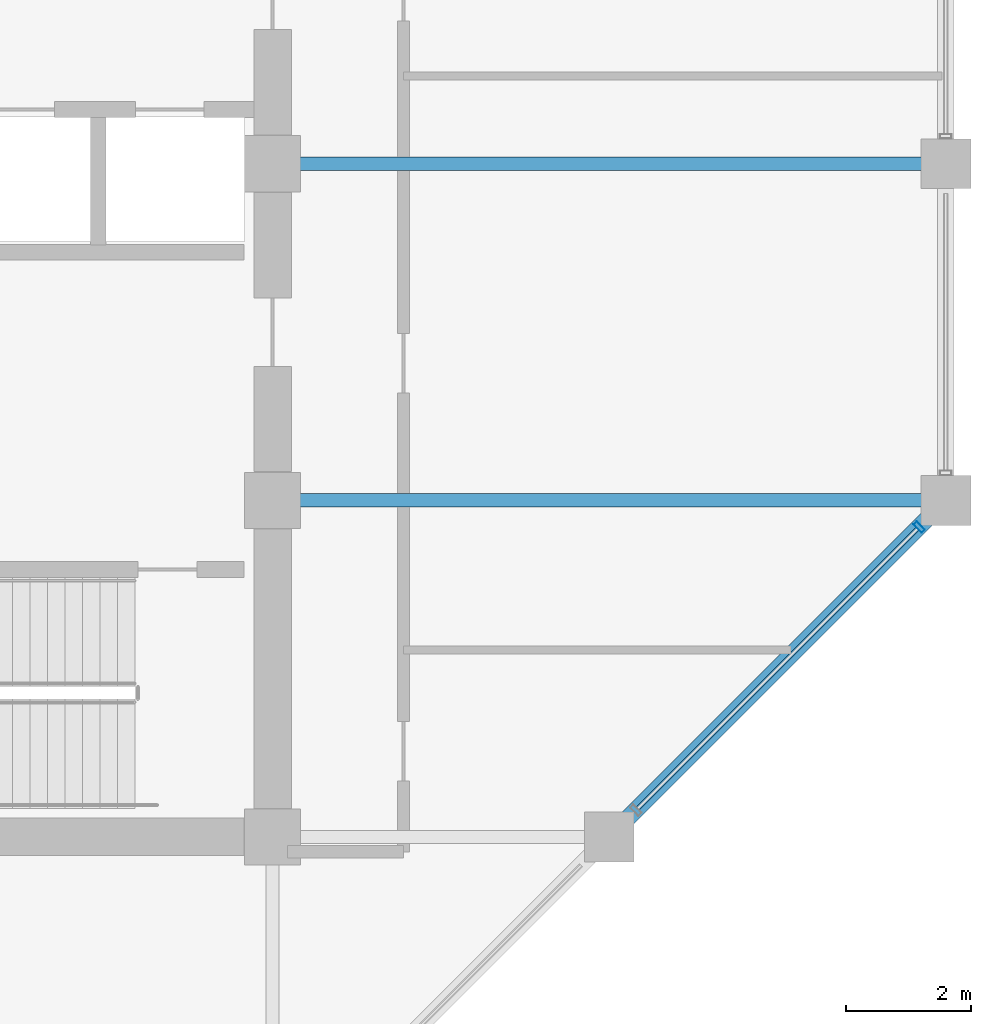
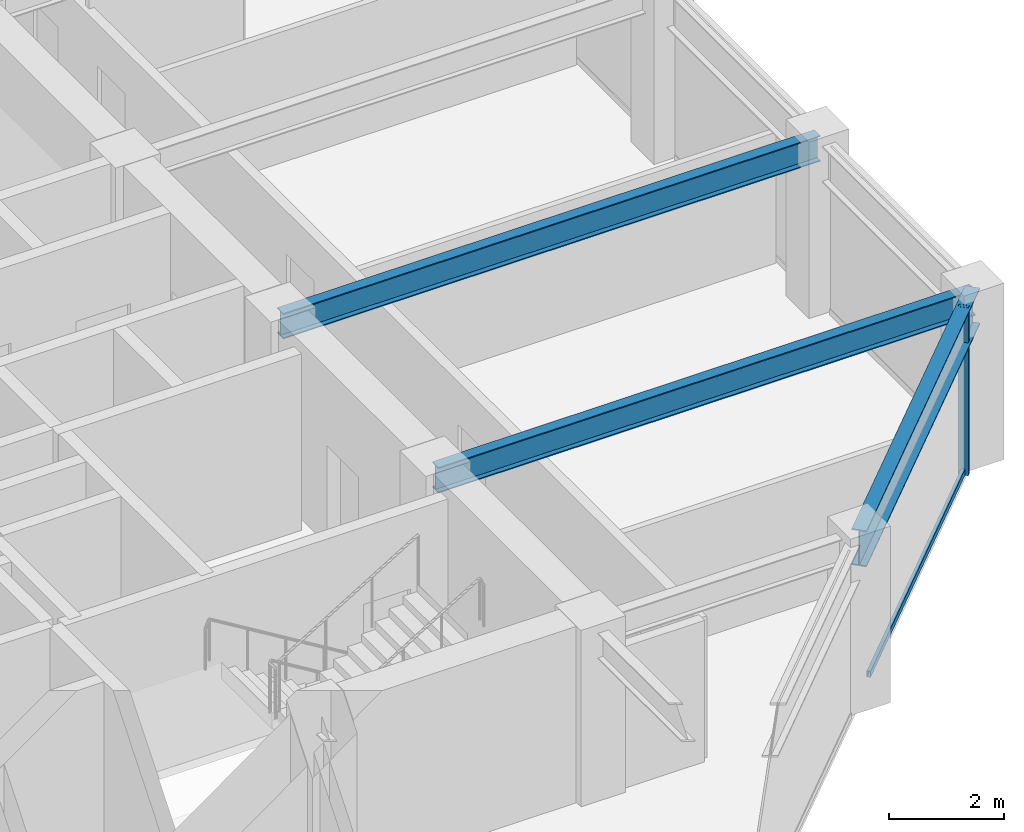
# One storey, part 13 of 32: 3 beams, 2 members, 1 element without a shape of its own.
"""IFC4 building model written with IfcOpenShell, lengths in metres."""

from ifc_helpers import new_model, si_unit, direction, frame, origin, origin_2d, place, context, subcontext, project, spatial, hollow_rectangle, i_section, extrude, material, layer, layer_set, material_profile, profile_set, type_object, element, aggregate, save


model = new_model("IFC4")

# Units and contexts
model_context = context("Model", 3, precision=1e-05, world=origin(), true_north=direction((0.0, 1.0)))
body_context = subcontext(model_context, "Body", "Model", "MODEL_VIEW")
ifc_project = project(units=[si_unit("LENGTHUNIT", "METRE"), si_unit("AREAUNIT", "SQUARE_METRE"), si_unit("VOLUMEUNIT", "CUBIC_METRE"), si_unit("PLANEANGLEUNIT", "RADIAN"), si_unit("MASSUNIT", "GRAM", prefix="KILO")], contexts=[model_context])

# Site, building, storey
site_placement = place(None, origin())
site = spatial("IfcSite", under=ifc_project, at=site_placement, CompositionType="ELEMENT")
building_placement = place(site_placement, origin())
building = spatial("IfcBuilding", under=site, at=building_placement, Name="Surkhivell Harbour Commons", CompositionType="ELEMENT")
storey_placement = place(building_placement, frame((0.0, 0.0, 223.5)))
storey = spatial("IfcBuildingStorey", under=building, at=storey_placement, Name="L58", CompositionType="ELEMENT", Elevation=223.5)

# Beams
ifc_material_1 = material(Name="Steel S355", Category="steel")
ifc_material_profile_1 = material_profile(ifc_material_1, i_section(OverallWidth=0.2119140625, OverallDepth=0.5439453125, WebThickness=0.0126953125, FlangeThickness=0.021240234375, at=origin_2d()), Name="UB533x210x122")
ifc_profile_set_1 = profile_set([ifc_material_profile_1], Name="Steel S355")
beam_type_1 = type_object("IfcBeamType", Name="BM-GRD-533A", PredefinedType="BEAM", material=ifc_profile_set_1)
for number, where, z_axis, x_axis, name in (
    (1, (10.800048828125, -5.39990234375, 3.298095703125), (1.0, 0.0, 0.0), (0.0, 1.0, 0.0), "L58 Floor Girder (10.8,-5.4)"),
    (2, (10.800048828125, 0.0, 3.298095703125), (1.0, 0.0, 0.0), (0.0, 1.0, 0.0), "L58 Floor Girder (10.8,0.0)"),
):
    element("IfcBeam", number, at=place(storey_placement, frame(where, z_axis=z_axis, x_axis=x_axis)), inside=storey, type_object=beam_type_1, Name=name, PredefinedType="BEAM", context=body_context, shape_type="SweptSolid", body=[
        extrude(i_section(OverallWidth=0.2119140625, OverallDepth=0.5439453125, WebThickness=0.0126953125, FlangeThickness=0.021240234375, at=origin_2d()), origin(), (0.0, 0.0, 1.0), 10.800048828125),
    ])
ifc_material_profile_2 = material_profile(ifc_material_1, i_section(OverallWidth=0.26806640625, OverallDepth=0.77001953125, WebThickness=0.015625, FlangeThickness=0.025390625, at=origin_2d()), Name="UB762x267x197")
ifc_profile_set_2 = profile_set([ifc_material_profile_2], Name="Steel S355")
beam_type_2 = type_object("IfcBeamType", Name="BM-SPN-762", PredefinedType="SPANDREL", material=ifc_profile_set_2)
beam_placement = place(storey_placement, frame((16.199951171875, -10.800048828125, 3.18505859375), z_axis=(0.707106781187, 0.707106781187, 0.0), x_axis=(-0.707106781187, 0.707106781187, 0.0)))
element("IfcBeam", 3, at=beam_placement, inside=storey, type_object=beam_type_2, Name="L58 Tube Spandrel (16.2,-10.8)", PredefinedType="SPANDREL", context=body_context, shape_type="SweptSolid", body=[
    extrude(i_section(OverallWidth=0.26806640625, OverallDepth=0.77001953125, WebThickness=0.015625, FlangeThickness=0.025390625, at=origin_2d()), origin(), (0.0, 0.0, 1.0), 7.636962890625),
])

# Curtain wall, members
ifc_material_2 = material(Name="Anodised pale-metal aluminium and insulated glazing", Category="aluminium")
ifc_layer = layer(ifc_material_2, 0.18994140625)
ifc_layer_set = layer_set([ifc_layer], Name="Anodised pale-metal aluminium and insulated glazing")
curtain_wall_type = type_object("IfcCurtainWallType", Name="CW-SYS-Z3", PredefinedType="NOTDEFINED", material=ifc_layer_set)
curtain_wall_placement = place(storey_placement, origin())
curtain_wall = element("IfcCurtainWall", 4, at=curtain_wall_placement, inside=storey, type_object=curtain_wall_type, Name="L58 Curtain Wall CW-L58-E01", PredefinedType="NOTDEFINED")
ifc_material_3 = material(Name="Anodised pale-metal aluminium alloy 6063-T6", Category="aluminium")
ifc_material_profile_3 = material_profile(ifc_material_3, hollow_rectangle(XDim=0.074951171875, YDim=0.18994140625, WallThickness=0.00390625, at=origin_2d()), Name="ALU-MULL-75x190")
ifc_profile_set_3 = profile_set([ifc_material_profile_3], Name="Anodised pale-metal aluminium alloy 6063-T6")
member_type_1 = type_object("IfcMemberType", Name="CWM-190", PredefinedType="MULLION", material=ifc_profile_set_3)
member_1_placement = place(storey_placement, frame((21.171875, -5.828125, 0.0), z_axis=(0.0, 0.0, 1.0), x_axis=(0.707106781187, 0.707106781187, 0.0)))
member_1 = element("IfcMember", 5, at=member_1_placement, type_object=member_type_1, Name="CW-Z3 mullion 4", PredefinedType="MULLION", context=body_context, shape_type="SweptSolid", body=[
    extrude(hollow_rectangle(XDim=0.074951171875, YDim=0.18994140625, WallThickness=0.00390625, at=origin_2d()), origin(), (0.0, 0.0, 1.0), 3.570068359375),
])
ifc_material_4 = material(Name="Champagne anodised aluminium alloy 6063-T6", Category="aluminium")
ifc_material_profile_4 = material_profile(ifc_material_4, hollow_rectangle(XDim=0.070068359375, YDim=0.1298828125, WallThickness=0.00341796875, at=origin_2d()), Name="ALU-TRAN-70x130")
ifc_profile_set_4 = profile_set([ifc_material_profile_4], Name="Champagne anodised aluminium alloy 6063-T6")
member_type_2 = type_object("IfcMemberType", Name="CWT-130", PredefinedType="USERDEFINED", material=ifc_profile_set_4)
member_2_placement = place(storey_placement, frame((16.65478515625, -10.34521484375, 0.06494140625), z_axis=(0.707106781187, 0.707106781187, 0.0), x_axis=(-0.707106781187, 0.707106781187, 0.0)))
member_2 = element("IfcMember", 6, at=member_2_placement, type_object=member_type_2, Name="CW-Z3 transom 3.1", ObjectType="TRANSOM", PredefinedType="USERDEFINED", context=body_context, shape_type="SweptSolid", body=[
    extrude(hollow_rectangle(XDim=0.070068359375, YDim=0.1298828125, WallThickness=0.00341796875, at=origin_2d()), origin(), (0.0, 0.0, 1.0), 6.3505859375),
])
aggregate(curtain_wall, [member_1, member_2])

save(model, "model.ifc")
